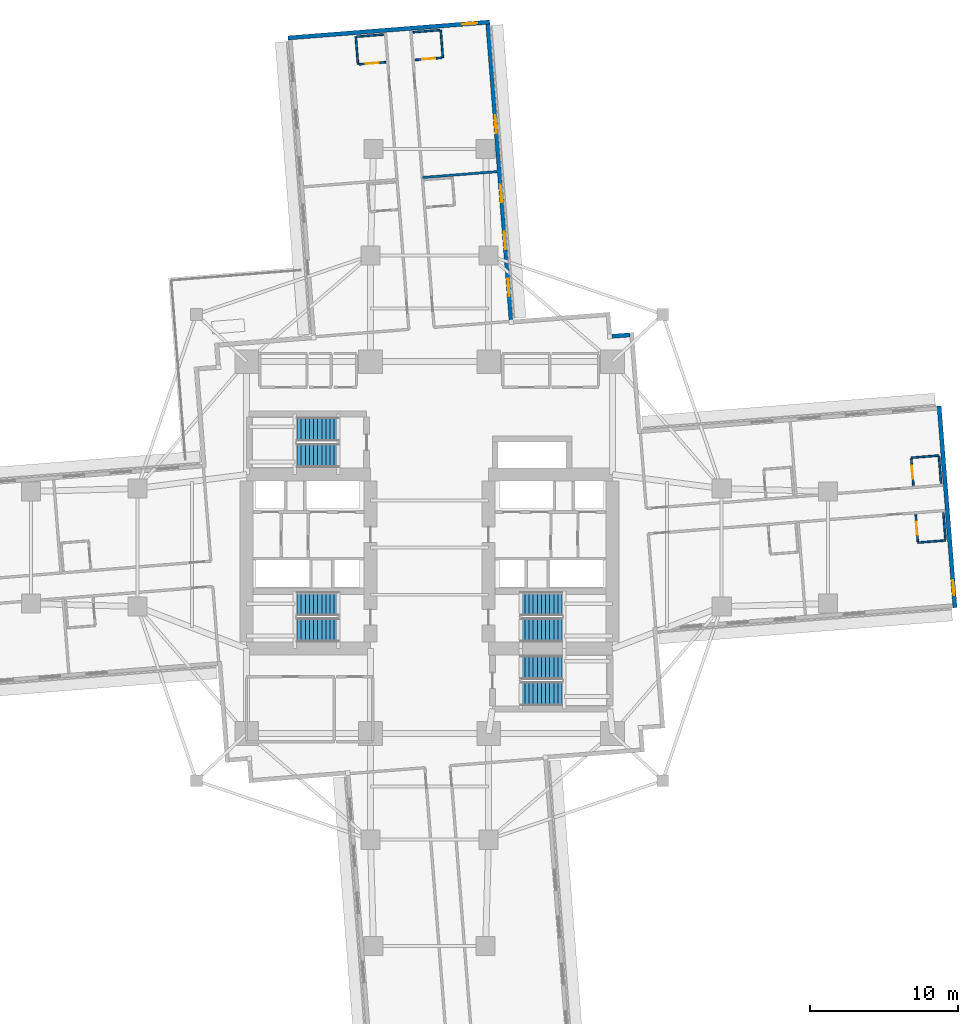
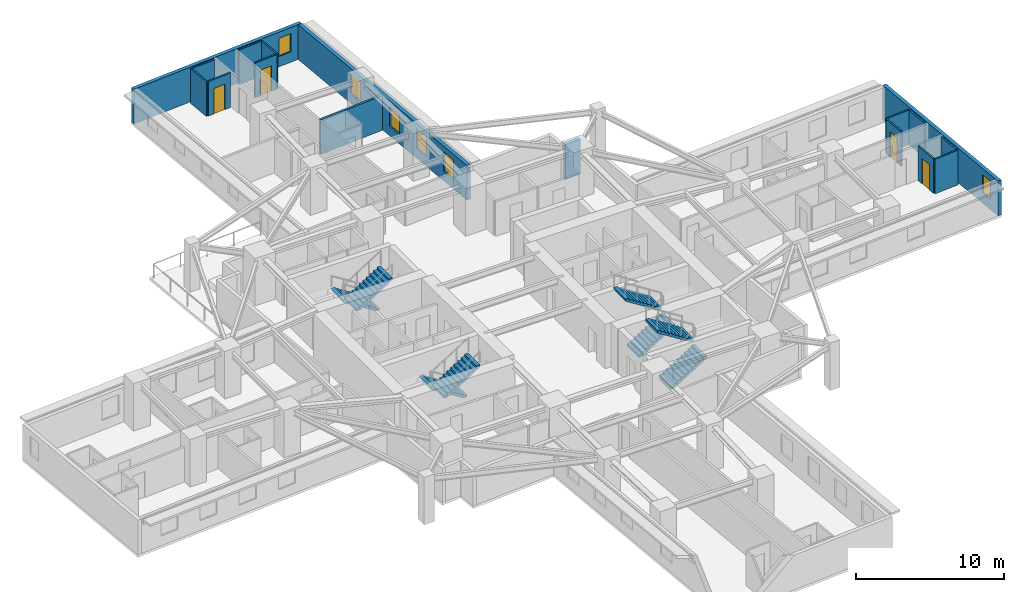
# One storey, part 8 of 13: 17 walls, 8 stair flights, 6 windows, 4 doors, 10 openings, 4 elements without a shape of their own.
"""IFC4 building model written with IfcOpenShell, lengths in metres."""

from ifc_helpers import new_model, si_unit, direction, frame, frame_2d, origin, place, context, subcontext, project, spatial, polyline, rectangle, outline, extrude, material, layer, layer_set, type_object, element, fill, aggregate, save


model = new_model("IFC4")

# Units and contexts
model_context = context("Model", 3, precision=1e-05, world=origin(), true_north=direction((0.0, 1.0)))
body_context = subcontext(model_context, "Body", "Model", "MODEL_VIEW")
ifc_project = project(units=[si_unit("LENGTHUNIT", "METRE"), si_unit("AREAUNIT", "SQUARE_METRE"), si_unit("VOLUMEUNIT", "CUBIC_METRE"), si_unit("PLANEANGLEUNIT", "RADIAN"), si_unit("MASSUNIT", "GRAM", prefix="KILO")], contexts=[model_context])

# Site, building, storey
site_placement = place(None, origin())
site = spatial("IfcSite", under=ifc_project, at=site_placement, CompositionType="ELEMENT")
building_placement = place(site_placement, origin())
building = spatial("IfcBuilding", under=site, at=building_placement, Name="Qingluan Cross Belvedere", CompositionType="ELEMENT")
storey_placement = place(building_placement, frame((0.0, 0.0, 43.199951171875)))
storey = spatial("IfcBuildingStorey", under=building, at=storey_placement, Name="L11", CompositionType="ELEMENT", Elevation=43.199951171875)

# Wall
ifc_material_1 = material(Name="Gypsum plasterboard on steel stud acoustic partition", Category="steel")
ifc_layer_1 = layer(ifc_material_1, 0.159912109375, Name="CorridorPartition_160")
ifc_layer_set_1 = layer_set([ifc_layer_1], Name="Gypsum plasterboard on steel stud acoustic partition")
wall_type_1 = type_object("IfcWallType", Name="CorridorPartition_160", PredefinedType="PARTITIONING", material=ifc_layer_set_1)
wall_1_placement = place(storey_placement, frame((-0.48876953125, 25.073974609375, 0.0), z_axis=(0.0, 0.0, 1.0), x_axis=(0.996918705771, 0.078441660381, 0.0)))
element("IfcWall", 1, at=wall_1_placement, inside=storey, type_object=wall_type_1, Name="Partition L11:N:d0_0", PredefinedType="PARTITIONING", context=body_context, shape_type="SweptSolid", body=[
    extrude(rectangle(XDim=5.091796875, YDim=0.159912109375, at=frame_2d((2.5458984375, 0.0))), origin(), (0.0, 0.0, 1.0), 2.85009765625),
])

# Wall, opening, door
ifc_material_2 = material(Name="Moisture-resistant gypsum board lining")
ifc_layer_2 = layer(ifc_material_2, 0.1201171875, Name="EnsuiteWetPartition_120")
ifc_layer_set_2 = layer_set([ifc_layer_2], Name="Moisture-resistant gypsum board lining")
wall_type_2 = type_object("IfcWallType", Name="EnsuiteWetPartition_120", PredefinedType="PARTITIONING", material=ifc_layer_set_2)
wall_2_placement = place(storey_placement, frame((32.791015625, 4.205810546875, 0.0), z_axis=(0.0, 0.0, 1.0), x_axis=(-0.078481444107, 0.996915574626, 0.0)))
wall_2 = element("IfcWall", 2, at=wall_2_placement, inside=storey, type_object=wall_type_2, Name="Partition L11:E:bs0_1", PredefinedType="PARTITIONING", context=body_context, shape_type="SweptSolid", body=[
    extrude(rectangle(XDim=1.81982421875, YDim=0.1201171875, at=frame_2d((0.909912109375, 0.0))), origin(), (0.0, 0.0, 1.0), 2.85009765625),
])
opening_1_placement = place(wall_2_placement, frame((0.469970703125, 0.0, 0.0)))
opening_1 = element("IfcOpeningElement", 3, at=opening_1_placement, cuts=wall_2, Name="Opening BD-09", PredefinedType="OPENING", context=body_context, shape_type="SweptSolid", body=[
    extrude(rectangle(XDim=0.8798828125, YDim=2.10009765625, at=frame_2d((0.43994140625, 1.050048828125))), frame((0.0, 0.070068359375, 0.0), z_axis=(0.0, -1.0, 0.0), x_axis=(1.0, 0.0, 0.0)), (0.0, 0.0, 1.0), 0.14013671875),
])
ifc_material_3 = material(Name="Moisture-sealed timber en-suite door", Category="wood")
door_type = type_object("IfcDoorType", Name="BathroomDoor_880", OperationType="NOTDEFINED", PredefinedType="DOOR", material=ifc_material_3)
door_1_placement = place(opening_1_placement, origin())
door_1 = element("IfcDoor", 4, at=door_1_placement, inside=storey, type_object=door_type, Name="Bathroom door 1102", OperationType="SINGLE_SWING_RIGHT", OverallHeight=2.10009765625, OverallWidth=0.8798828125, PredefinedType="DOOR", context=body_context, shape_type="SweptSolid", body=[
    extrude(rectangle(XDim=0.8798828125, YDim=2.10009765625, at=frame_2d((0.43994140625, 1.050048828125))), frame((0.0, 0.02490234375, 0.0), z_axis=(0.0, -1.0, 0.0), x_axis=(1.0, 0.0, 0.0)), (0.0, 0.0, 1.0), 0.050048828125),
])
fill(opening_1, door_1)

# Walls
wall_3_placement = place(storey_placement, frame((34.665283203125, 4.353271484375, 0.0), z_axis=(0.0, 0.0, 1.0), x_axis=(-0.078481444107, 0.996915574626, 0.0)))
element("IfcWall", 5, at=wall_3_placement, inside=storey, type_object=wall_type_2, Name="Partition L11:E:bw0_1", PredefinedType="PARTITIONING", context=body_context, shape_type="SweptSolid", body=[
    extrude(rectangle(XDim=1.81982421875, YDim=0.1201171875, at=frame_2d((0.909912109375, 0.0))), origin(), (0.0, 0.0, 1.0), 2.85009765625),
])
wall_4_placement = place(storey_placement, frame((32.643310546875, 6.0849609375, 0.0), z_axis=(0.0, 0.0, 1.0), x_axis=(0.99691849475, 0.078444342213, 0.0)))
element("IfcWall", 6, at=wall_4_placement, inside=storey, type_object=wall_type_2, Name="Partition L11:E:bn0_1", PredefinedType="PARTITIONING", context=body_context, shape_type="SweptSolid", body=[
    extrude(rectangle(XDim=1.8798828125, YDim=0.1201171875, at=frame_2d((0.93994140625, 0.0))), origin(), (0.0, 0.0, 1.0), 2.85009765625),
])

# Wall, opening, door
wall_5_placement = place(storey_placement, frame((33.0908203125, 0.3974609375, 0.0), z_axis=(0.0, 0.0, 1.0), x_axis=(-0.0784709492, 0.996916400774, 0.0)))
wall_5 = element("IfcWall", 7, at=wall_5_placement, inside=storey, type_object=wall_type_2, Name="Partition L11:E:bs1_1", PredefinedType="PARTITIONING", context=body_context, shape_type="SweptSolid", body=[
    extrude(rectangle(XDim=1.820068359375, YDim=0.1201171875, at=frame_2d((0.91015625, 0.0))), origin(), (0.0, 0.0, 1.0), 2.85009765625),
])
opening_2_placement = place(wall_5_placement, frame((0.469970703125, 0.0, 0.0)))
opening_2 = element("IfcOpeningElement", 8, at=opening_2_placement, cuts=wall_5, Name="Opening BD-09", PredefinedType="OPENING", context=body_context, shape_type="SweptSolid", body=[
    extrude(rectangle(XDim=0.8798828125, YDim=2.10009765625, at=frame_2d((0.43994140625, 1.050048828125))), frame((0.0, 0.070068359375, 0.0), z_axis=(0.0, -1.0, 0.0), x_axis=(1.0, 0.0, 0.0)), (0.0, 0.0, 1.0), 0.14013671875),
])
door_2_placement = place(opening_2_placement, origin())
door_2 = element("IfcDoor", 9, at=door_2_placement, inside=storey, type_object=door_type, Name="Bathroom door 1104", OperationType="SINGLE_SWING_RIGHT", OverallHeight=2.10009765625, OverallWidth=0.8798828125, PredefinedType="DOOR", context=body_context, shape_type="SweptSolid", body=[
    extrude(rectangle(XDim=0.8798828125, YDim=2.10009765625, at=frame_2d((0.43994140625, 1.050048828125))), frame((0.0, 0.02490234375, 0.0), z_axis=(0.0, -1.0, 0.0), x_axis=(1.0, 0.0, 0.0)), (0.0, 0.0, 1.0), 0.050048828125),
])
fill(opening_2, door_2)

# Walls
wall_6_placement = place(storey_placement, frame((34.965087890625, 0.544921875, 0.0), z_axis=(0.0, 0.0, 1.0), x_axis=(-0.0784709492, 0.996916400774, 0.0)))
element("IfcWall", 10, at=wall_6_placement, inside=storey, type_object=wall_type_2, Name="Partition L11:E:bw1_1", PredefinedType="PARTITIONING", context=body_context, shape_type="SweptSolid", body=[
    extrude(rectangle(XDim=1.820068359375, YDim=0.1201171875, at=frame_2d((0.91015625, 0.0))), origin(), (0.0, 0.0, 1.0), 2.85009765625),
])
wall_7_placement = place(storey_placement, frame((33.095947265625, 0.332763671875, 0.0), z_axis=(0.0, 0.0, 1.0), x_axis=(0.996919293781, 0.07843418698, 0.0)))
element("IfcWall", 11, at=wall_7_placement, inside=storey, type_object=wall_type_2, Name="Partition L11:E:bc1_1", PredefinedType="PARTITIONING", context=body_context, shape_type="SweptSolid", body=[
    extrude(rectangle(XDim=1.880126953125, YDim=0.1201171875, at=frame_2d((0.93994140625, 0.0))), origin(), (0.0, 0.0, 1.0), 2.85009765625),
])

# Wall, opening, door
wall_8_placement = place(storey_placement, frame((-0.9755859375, 33.04541015625, 0.0), z_axis=(0.0, 0.0, 1.0), x_axis=(0.996926062126, 0.078348112001, 0.0)))
wall_8 = element("IfcWall", 12, at=wall_8_placement, inside=storey, type_object=wall_type_2, Name="Partition L11:N:bs0_1", PredefinedType="PARTITIONING", context=body_context, shape_type="SweptSolid", body=[
    extrude(rectangle(XDim=1.81982421875, YDim=0.1201171875, at=frame_2d((0.909912109375, 0.0))), origin(), (0.0, 0.0, 1.0), 2.85009765625),
])
opening_3_placement = place(wall_8_placement, frame((0.469970703125, 0.0, 0.0)))
opening_3 = element("IfcOpeningElement", 13, at=opening_3_placement, cuts=wall_8, Name="Opening BD-09", PredefinedType="OPENING", context=body_context, shape_type="SweptSolid", body=[
    extrude(rectangle(XDim=0.8798828125, YDim=2.10009765625, at=frame_2d((0.43994140625, 1.050048828125))), frame((0.0, 0.070068359375, 0.0), z_axis=(0.0, -1.0, 0.0), x_axis=(1.0, 0.0, 0.0)), (0.0, 0.0, 1.0), 0.14013671875),
])
door_3_placement = place(opening_3_placement, origin())
door_3 = element("IfcDoor", 14, at=door_3_placement, inside=storey, type_object=door_type, Name="Bathroom door 1110", OperationType="SINGLE_SWING_RIGHT", OverallHeight=2.10009765625, OverallWidth=0.8798828125, PredefinedType="DOOR", context=body_context, shape_type="SweptSolid", body=[
    extrude(rectangle(XDim=0.8798828125, YDim=2.10009765625, at=frame_2d((0.43994140625, 1.050048828125))), frame((0.0, 0.02490234375, 0.0), z_axis=(0.0, -1.0, 0.0), x_axis=(1.0, 0.0, 0.0)), (0.0, 0.0, 1.0), 0.050048828125),
])
fill(opening_3, door_3)

# Walls
wall_9_placement = place(storey_placement, frame((-1.123291015625, 34.91943359375, 0.0), z_axis=(0.0, 0.0, 1.0), x_axis=(0.996916400774, 0.0784709492, 0.0)))
element("IfcWall", 15, at=wall_9_placement, inside=storey, type_object=wall_type_2, Name="Partition L11:N:bw0_1", PredefinedType="PARTITIONING", context=body_context, shape_type="SweptSolid", body=[
    extrude(rectangle(XDim=1.820068359375, YDim=0.1201171875, at=frame_2d((0.91015625, 0.0))), origin(), (0.0, 0.0, 1.0), 2.85009765625),
])
wall_10_placement = place(storey_placement, frame((0.903564453125, 33.193115234375, 0.0), z_axis=(0.0, 0.0, 1.0), x_axis=(-0.07843418698, 0.996919293781, 0.0)))
element("IfcWall", 16, at=wall_10_placement, inside=storey, type_object=wall_type_2, Name="Partition L11:N:bn0_1", PredefinedType="PARTITIONING", context=body_context, shape_type="SweptSolid", body=[
    extrude(rectangle(XDim=1.880126953125, YDim=0.1201171875, at=frame_2d((0.93994140625, 0.0))), origin(), (0.0, 0.0, 1.0), 2.85009765625),
])

# Wall, opening, door
wall_11_placement = place(storey_placement, frame((-4.783935546875, 32.74560546875, 0.0), z_axis=(0.0, 0.0, 1.0), x_axis=(0.996916400774, 0.0784709492, 0.0)))
wall_11 = element("IfcWall", 17, at=wall_11_placement, inside=storey, type_object=wall_type_2, Name="Partition L11:N:bs1_1", PredefinedType="PARTITIONING", context=body_context, shape_type="SweptSolid", body=[
    extrude(rectangle(XDim=1.820068359375, YDim=0.1201171875, at=frame_2d((0.91015625, 0.0))), origin(), (0.0, 0.0, 1.0), 2.85009765625),
])
opening_4_placement = place(wall_11_placement, frame((0.469970703125, 0.0, 0.0)))
opening_4 = element("IfcOpeningElement", 18, at=opening_4_placement, cuts=wall_11, Name="Opening BD-09", PredefinedType="OPENING", context=body_context, shape_type="SweptSolid", body=[
    extrude(rectangle(XDim=0.8798828125, YDim=2.10009765625, at=frame_2d((0.43994140625, 1.050048828125))), frame((0.0, 0.070068359375, 0.0), z_axis=(0.0, -1.0, 0.0), x_axis=(1.0, 0.0, 0.0)), (0.0, 0.0, 1.0), 0.14013671875),
])
door_4_placement = place(opening_4_placement, origin())
door_4 = element("IfcDoor", 19, at=door_4_placement, inside=storey, type_object=door_type, Name="Bathroom door 1112", OperationType="SINGLE_SWING_RIGHT", OverallHeight=2.10009765625, OverallWidth=0.8798828125, PredefinedType="DOOR", context=body_context, shape_type="SweptSolid", body=[
    extrude(rectangle(XDim=0.8798828125, YDim=2.10009765625, at=frame_2d((0.43994140625, 1.050048828125))), frame((0.0, 0.02490234375, 0.0), z_axis=(0.0, -1.0, 0.0), x_axis=(1.0, 0.0, 0.0)), (0.0, 0.0, 1.0), 0.050048828125),
])
fill(opening_4, door_4)

# Walls
wall_12_placement = place(storey_placement, frame((-4.931396484375, 34.619873046875, 0.0), z_axis=(0.0, 0.0, 1.0), x_axis=(0.996915574626, 0.078481444107, 0.0)))
element("IfcWall", 20, at=wall_12_placement, inside=storey, type_object=wall_type_2, Name="Partition L11:N:bw1_1", PredefinedType="PARTITIONING", context=body_context, shape_type="SweptSolid", body=[
    extrude(rectangle(XDim=1.81982421875, YDim=0.1201171875, at=frame_2d((0.909912109375, 0.0))), origin(), (0.0, 0.0, 1.0), 2.85009765625),
])
wall_13_placement = place(storey_placement, frame((-4.8486328125, 32.740478515625, 0.0), z_axis=(0.0, 0.0, 1.0), x_axis=(-0.07843418698, 0.996919293781, 0.0)))
element("IfcWall", 21, at=wall_13_placement, inside=storey, type_object=wall_type_2, Name="Partition L11:N:bc1_1", PredefinedType="PARTITIONING", context=body_context, shape_type="SweptSolid", body=[
    extrude(rectangle(XDim=1.880126953125, YDim=0.1201171875, at=frame_2d((0.93994140625, 0.0))), origin(), (0.0, 0.0, 1.0), 2.85009765625),
])

# Wall, opening, window
ifc_material_4 = material(Name="Precast concrete C45", Category="concrete")
ifc_layer_3 = layer(ifc_material_4, 0.280029296875, Name="PrecastFacadeWall_280")
ifc_layer_set_3 = layer_set([ifc_layer_3], Name="Precast concrete C45")
wall_type_3 = type_object("IfcWallType", Name="PrecastFacadeWall_280", PredefinedType="STANDARD", material=ifc_layer_set_3)
wall_14_placement = place(storey_placement, frame((35.60986328125, -4.07861328125, 0.0), z_axis=(0.0, 0.0, 1.0), x_axis=(-0.078473519122, 0.996916198482, 0.0)))
wall_14 = element("IfcWall", 22, at=wall_14_placement, inside=storey, type_object=wall_type_3, Name="Arm tip precast facade wall L11-E", PredefinedType="STANDARD", context=body_context, shape_type="SweptSolid", body=[
    extrude(rectangle(XDim=13.719970703125, YDim=0.280029296875, at=frame_2d((6.85986328125, 0.0))), origin(), (0.0, 0.0, 1.0), 2.860107421875),
])
opening_5_placement = place(wall_14_placement, frame((0.85009765625, 0.0, 0.85009765625)))
opening_5 = element("IfcOpeningElement", 23, at=opening_5_placement, cuts=wall_14, Name="Opening W-03", PredefinedType="OPENING", context=body_context, shape_type="SweptSolid", body=[
    extrude(rectangle(XDim=1.0, YDim=1.5, at=frame_2d((0.5, 0.75))), frame((0.0, 0.14990234375, 0.0), z_axis=(0.0, -1.0, 0.0), x_axis=(1.0, 0.0, 0.0)), (0.0, 0.0, 1.0), 0.300048828125),
])
ifc_material_5 = material(Name="Thermally broken triple Low-E glass in aluminium frame", Category="aluminium")
window_type_1 = type_object("IfcWindowType", Name="TriApexWin_1000x1500", PartitioningType="SINGLE_PANEL", PredefinedType="WINDOW", material=ifc_material_5)
window_1_placement = place(opening_5_placement, origin())
window_1 = element("IfcWindow", 24, at=window_1_placement, inside=storey, type_object=window_type_1, Name="Arm tip triangular window L11-E", OverallHeight=1.5, OverallWidth=1.0, PartitioningType="SINGLE_PANEL", PredefinedType="WINDOW", context=body_context, shape_type="SweptSolid", body=[
    extrude(rectangle(XDim=1.0, YDim=1.5, at=frame_2d((0.5, 0.75))), frame((0.0, 0.030029296875, 0.0), z_axis=(0.0, -1.0, 0.0), x_axis=(1.0, 0.0, 0.0)), (0.0, 0.0, 1.0), 0.06005859375),
])
fill(opening_5, window_1)

# Wall, openings, windows
wall_15_placement = place(storey_placement, frame((5.527099609375, 15.421142578125, 0.0), z_axis=(0.0, 0.0, 1.0), x_axis=(-0.078452802979, 0.996917828963, 0.0)))
wall_15 = element("IfcWall", 25, at=wall_15_placement, inside=storey, type_object=wall_type_3, Name="Facade wall L11-NA", PredefinedType="STANDARD", context=body_context, shape_type="SweptSolid", body=[
    extrude(rectangle(XDim=20.10009765625, YDim=0.280029296875, at=frame_2d((10.050048828125, 0.0))), origin(), (0.0, 0.0, 1.0), 2.860107421875),
])
opening_6_placement = place(wall_15_placement, frame((1.60009765625, 0.0, 0.800048828125)))
opening_6 = element("IfcOpeningElement", 26, at=opening_6_placement, cuts=wall_15, Name="Opening W-02", PredefinedType="OPENING", context=body_context, shape_type="SweptSolid", body=[
    extrude(rectangle(XDim=1.199951171875, YDim=1.60009765625, at=frame_2d((0.60009765625, 0.800048828125))), frame((0.0, 0.14990234375, 0.0), z_axis=(0.0, -1.0, 0.0), x_axis=(1.0, 0.0, 0.0)), (0.0, 0.0, 1.0), 0.300048828125),
])
opening_7_placement = place(wall_15_placement, frame((4.800048828125, 0.0, 0.800048828125)))
opening_7 = element("IfcOpeningElement", 27, at=opening_7_placement, cuts=wall_15, Name="Opening W-02", PredefinedType="OPENING", context=body_context, shape_type="SweptSolid", body=[
    extrude(rectangle(XDim=1.199951171875, YDim=1.60009765625, at=frame_2d((0.60009765625, 0.800048828125))), frame((0.0, 0.14990234375, 0.0), z_axis=(0.0, -1.0, 0.0), x_axis=(1.0, 0.0, 0.0)), (0.0, 0.0, 1.0), 0.300048828125),
])
opening_8_placement = place(wall_15_placement, frame((8.0, 0.0, 0.800048828125)))
opening_8 = element("IfcOpeningElement", 28, at=opening_8_placement, cuts=wall_15, Name="Opening W-02", PredefinedType="OPENING", context=body_context, shape_type="SweptSolid", body=[
    extrude(rectangle(XDim=1.199951171875, YDim=1.60009765625, at=frame_2d((0.60009765625, 0.800048828125))), frame((0.0, 0.14990234375, 0.0), z_axis=(0.0, -1.0, 0.0), x_axis=(1.0, 0.0, 0.0)), (0.0, 0.0, 1.0), 0.300048828125),
])
opening_9_placement = place(wall_15_placement, frame((12.699951171875, 0.0, 0.800048828125)))
opening_9 = element("IfcOpeningElement", 29, at=opening_9_placement, cuts=wall_15, Name="Opening W-02", PredefinedType="OPENING", context=body_context, shape_type="SweptSolid", body=[
    extrude(rectangle(XDim=1.199951171875, YDim=1.60009765625, at=frame_2d((0.60009765625, 0.800048828125))), frame((0.0, 0.14990234375, 0.0), z_axis=(0.0, -1.0, 0.0), x_axis=(1.0, 0.0, 0.0)), (0.0, 0.0, 1.0), 0.300048828125),
])
ifc_material_6 = material(Name="Thermally broken triple Low-E glass in aluminium frame", Category="aluminium")
window_type_2 = type_object("IfcWindowType", Name="TriRibbonWin_1200x1600", PartitioningType="SINGLE_PANEL", PredefinedType="WINDOW", material=ifc_material_6)
window_2_placement = place(opening_6_placement, origin())
window_2 = element("IfcWindow", 30, at=window_2_placement, inside=storey, type_object=window_type_2, Name="Ribbon window L11-NA-1", OverallHeight=1.60009765625, OverallWidth=1.199951171875, PartitioningType="SINGLE_PANEL", PredefinedType="WINDOW", context=body_context, shape_type="SweptSolid", body=[
    extrude(rectangle(XDim=1.199951171875, YDim=1.60009765625, at=frame_2d((0.60009765625, 0.800048828125))), frame((0.0, 0.030029296875, 0.0), z_axis=(0.0, -1.0, 0.0), x_axis=(1.0, 0.0, 0.0)), (0.0, 0.0, 1.0), 0.06005859375),
])
fill(opening_6, window_2)
window_3_placement = place(opening_7_placement, origin())
window_3 = element("IfcWindow", 31, at=window_3_placement, inside=storey, type_object=window_type_2, Name="Ribbon window L11-NA-2", OverallHeight=1.60009765625, OverallWidth=1.199951171875, PartitioningType="SINGLE_PANEL", PredefinedType="WINDOW", context=body_context, shape_type="SweptSolid", body=[
    extrude(rectangle(XDim=1.199951171875, YDim=1.60009765625, at=frame_2d((0.60009765625, 0.800048828125))), frame((0.0, 0.030029296875, 0.0), z_axis=(0.0, -1.0, 0.0), x_axis=(1.0, 0.0, 0.0)), (0.0, 0.0, 1.0), 0.06005859375),
])
fill(opening_7, window_3)
window_4_placement = place(opening_8_placement, origin())
window_4 = element("IfcWindow", 32, at=window_4_placement, inside=storey, type_object=window_type_2, Name="Ribbon window L11-NA-3", OverallHeight=1.60009765625, OverallWidth=1.199951171875, PartitioningType="SINGLE_PANEL", PredefinedType="WINDOW", context=body_context, shape_type="SweptSolid", body=[
    extrude(rectangle(XDim=1.199951171875, YDim=1.60009765625, at=frame_2d((0.60009765625, 0.800048828125))), frame((0.0, 0.030029296875, 0.0), z_axis=(0.0, -1.0, 0.0), x_axis=(1.0, 0.0, 0.0)), (0.0, 0.0, 1.0), 0.06005859375),
])
fill(opening_8, window_4)
window_5_placement = place(opening_9_placement, origin())
window_5 = element("IfcWindow", 33, at=window_5_placement, inside=storey, type_object=window_type_2, Name="Ribbon window L11-NA-4", OverallHeight=1.60009765625, OverallWidth=1.199951171875, PartitioningType="SINGLE_PANEL", PredefinedType="WINDOW", context=body_context, shape_type="SweptSolid", body=[
    extrude(rectangle(XDim=1.199951171875, YDim=1.60009765625, at=frame_2d((0.60009765625, 0.800048828125))), frame((0.0, 0.030029296875, 0.0), z_axis=(0.0, -1.0, 0.0), x_axis=(1.0, 0.0, 0.0)), (0.0, 0.0, 1.0), 0.06005859375),
])
fill(opening_9, window_5)

# Wall, opening, window
wall_16_placement = place(storey_placement, frame((4.07861328125, 35.60986328125, 0.0), z_axis=(0.0, 0.0, 1.0), x_axis=(-0.996916198482, -0.078473519122, 0.0)))
wall_16 = element("IfcWall", 34, at=wall_16_placement, inside=storey, type_object=wall_type_3, Name="Arm tip precast facade wall L11-N", PredefinedType="STANDARD", context=body_context, shape_type="SweptSolid", body=[
    extrude(rectangle(XDim=13.719970703125, YDim=0.280029296875, at=frame_2d((6.85986328125, 0.0))), origin(), (0.0, 0.0, 1.0), 2.860107421875),
])
opening_10_placement = place(wall_16_placement, frame((0.85009765625, 0.0, 0.85009765625)))
opening_10 = element("IfcOpeningElement", 35, at=opening_10_placement, cuts=wall_16, Name="Opening W-03", PredefinedType="OPENING", context=body_context, shape_type="SweptSolid", body=[
    extrude(rectangle(XDim=1.0, YDim=1.5, at=frame_2d((0.5, 0.75))), frame((0.0, 0.14990234375, 0.0), z_axis=(0.0, -1.0, 0.0), x_axis=(1.0, 0.0, 0.0)), (0.0, 0.0, 1.0), 0.300048828125),
])
window_6_placement = place(opening_10_placement, origin())
window_6 = element("IfcWindow", 36, at=window_6_placement, inside=storey, type_object=window_type_1, Name="Arm tip triangular window L11-N", OverallHeight=1.5, OverallWidth=1.0, PartitioningType="SINGLE_PANEL", PredefinedType="WINDOW", context=body_context, shape_type="SweptSolid", body=[
    extrude(rectangle(XDim=1.0, YDim=1.5, at=frame_2d((0.5, 0.75))), frame((0.0, 0.030029296875, 0.0), z_axis=(0.0, -1.0, 0.0), x_axis=(1.0, 0.0, 0.0)), (0.0, 0.0, 1.0), 0.06005859375),
])
fill(opening_10, window_6)

# Wall
wall_17_placement = place(storey_placement, frame((13.5712890625, 14.4091796875, 0.0), z_axis=(0.0, 0.0, 1.0), x_axis=(-0.996918772, -0.078440818672, 0.0)))
element("IfcWall", 37, at=wall_17_placement, inside=storey, type_object=wall_type_3, Name="Corner wall L11-NE2", PredefinedType="STANDARD", context=body_context, shape_type="SweptSolid", body=[
    extrude(rectangle(XDim=1.219970703125, YDim=0.280029296875, at=frame_2d((0.60986328125, 0.0))), origin(), (0.0, 0.0, 1.0), 2.860107421875),
])

# Stair, stair flights
ifc_material_7 = material(Name="Concrete C40", Category="concrete")
stair_type = type_object("IfcStairType", Name="CoreDoglegStair_1620", PredefinedType="HALF_TURN_STAIR", material=ifc_material_7)
stair_1_placement = place(storey_placement, origin())
stair_1 = element("IfcStair", 38, at=stair_1_placement, inside=storey, type_object=stair_type, Name="L11 ST1", PredefinedType="HALF_TURN_STAIR")
ifc_material_8 = material(Name="Concrete C40", Category="concrete")
ifc_layer_4 = layer(ifc_material_8, 0.179931640625, Name="StairFlight_RC180")
ifc_layer_set_4 = layer_set([ifc_layer_4], Name="Concrete C40")
stair_flight_type = type_object("IfcStairFlightType", Name="StairFlight_RC180", PredefinedType="STRAIGHT", material=ifc_layer_set_4)
stair_flight_1_placement = place(storey_placement, frame((-6.179931640625, -3.81005859375, 0.0), z_axis=(0.0, 0.0, 1.0), x_axis=(-1.0, 0.0, 0.0)))
stair_flight_1 = element("IfcStairFlight", 39, at=stair_flight_1_placement, type_object=stair_flight_type, Name="ST1 flight 1", NumberOfRisers=11, NumberOfTreads=10, PredefinedType="STRAIGHT", RiserHeight=0.177272727, TreadLength=0.28, context=body_context, shape_type="SweptSolid", body=[
    extrude(outline(polyline([(0.0, 0.0), (0.0, 0.17724609375), (0.280029296875, 0.17724609375), (0.280029296875, 0.3544921875), (0.56005859375, 0.3544921875), (0.56005859375, 0.53173828125), (0.840087890625, 0.53173828125), (0.840087890625, 0.708984375), (1.1201171875, 0.708984375), (1.1201171875, 0.886474609375), (1.39990234375, 0.886474609375), (1.39990234375, 1.063720703125), (1.679931640625, 1.063720703125), (1.679931640625, 1.240966796875), (1.9599609375, 1.240966796875), (1.9599609375, 1.418212890625), (2.239990234375, 1.418212890625), (2.239990234375, 1.595458984375), (2.52001953125, 1.595458984375), (2.52001953125, 1.772705078125), (2.800048828125, 1.772705078125), (2.800048828125, 1.949951171875), (2.800048828125, 1.59521484375), (0.2802734375, 0.0), (0.0, 0.0)])), frame((0.0, 0.81005859375, 0.0), z_axis=(0.0, -1.0, 0.0), x_axis=(1.0, 0.0, 0.0)), (0.0, 0.0, 1.0), 1.6201171875),
])
stair_flight_2_placement = place(storey_placement, frame((-8.97998046875, -5.590087890625, 1.949951171875), z_axis=(0.0, 0.0, 1.0), x_axis=(1.0, 0.0, 0.0)))
stair_flight_2 = element("IfcStairFlight", 40, at=stair_flight_2_placement, type_object=stair_flight_type, Name="ST1 flight 2", NumberOfRisers=11, NumberOfTreads=10, PredefinedType="STRAIGHT", RiserHeight=0.177272727, TreadLength=0.28, context=body_context, shape_type="SweptSolid", body=[
    extrude(outline(polyline([(0.0, 0.0), (0.0, 0.17724609375), (0.280029296875, 0.17724609375), (0.280029296875, 0.3544921875), (0.56005859375, 0.3544921875), (0.56005859375, 0.53173828125), (0.840087890625, 0.53173828125), (0.840087890625, 0.708984375), (1.1201171875, 0.708984375), (1.1201171875, 0.886474609375), (1.39990234375, 0.886474609375), (1.39990234375, 1.063720703125), (1.679931640625, 1.063720703125), (1.679931640625, 1.240966796875), (1.9599609375, 1.240966796875), (1.9599609375, 1.418212890625), (2.239990234375, 1.418212890625), (2.239990234375, 1.595458984375), (2.52001953125, 1.595458984375), (2.52001953125, 1.772705078125), (2.800048828125, 1.772705078125), (2.800048828125, 1.949951171875), (2.800048828125, 1.59521484375), (0.2802734375, 0.0), (0.0, 0.0)])), frame((0.0, 0.81005859375, 0.0), z_axis=(0.0, -1.0, 0.0), x_axis=(1.0, 0.0, 0.0)), (0.0, 0.0, 1.0), 1.6201171875),
])
aggregate(stair_1, [stair_flight_1, stair_flight_2])

stair_2_placement = place(storey_placement, origin())
stair_2 = element("IfcStair", 41, at=stair_2_placement, inside=storey, type_object=stair_type, Name="L11 ST2", PredefinedType="HALF_TURN_STAIR")
stair_flight_3_placement = place(storey_placement, frame((6.179931640625, -5.590087890625, 0.0), z_axis=(0.0, 0.0, 1.0), x_axis=(1.0, 0.0, 0.0)))
stair_flight_3 = element("IfcStairFlight", 42, at=stair_flight_3_placement, type_object=stair_flight_type, Name="ST2 flight 1", NumberOfRisers=11, NumberOfTreads=10, PredefinedType="STRAIGHT", RiserHeight=0.177272727, TreadLength=0.28, context=body_context, shape_type="SweptSolid", body=[
    extrude(outline(polyline([(0.0, 0.0), (0.0, 0.17724609375), (0.280029296875, 0.17724609375), (0.280029296875, 0.3544921875), (0.56005859375, 0.3544921875), (0.56005859375, 0.53173828125), (0.840087890625, 0.53173828125), (0.840087890625, 0.708984375), (1.1201171875, 0.708984375), (1.1201171875, 0.886474609375), (1.39990234375, 0.886474609375), (1.39990234375, 1.063720703125), (1.679931640625, 1.063720703125), (1.679931640625, 1.240966796875), (1.9599609375, 1.240966796875), (1.9599609375, 1.418212890625), (2.239990234375, 1.418212890625), (2.239990234375, 1.595458984375), (2.52001953125, 1.595458984375), (2.52001953125, 1.772705078125), (2.800048828125, 1.772705078125), (2.800048828125, 1.949951171875), (2.800048828125, 1.59521484375), (0.2802734375, 0.0), (0.0, 0.0)])), frame((0.0, 0.81005859375, 0.0), z_axis=(0.0, -1.0, 0.0), x_axis=(1.0, 0.0, 0.0)), (0.0, 0.0, 1.0), 1.6201171875),
])
stair_flight_4_placement = place(storey_placement, frame((8.97998046875, -3.81005859375, 1.949951171875), z_axis=(0.0, 0.0, 1.0), x_axis=(-1.0, 0.0, 0.0)))
stair_flight_4 = element("IfcStairFlight", 43, at=stair_flight_4_placement, type_object=stair_flight_type, Name="ST2 flight 2", NumberOfRisers=11, NumberOfTreads=10, PredefinedType="STRAIGHT", RiserHeight=0.177272727, TreadLength=0.28, context=body_context, shape_type="SweptSolid", body=[
    extrude(outline(polyline([(0.0, 0.0), (0.0, 0.17724609375), (0.280029296875, 0.17724609375), (0.280029296875, 0.3544921875), (0.56005859375, 0.3544921875), (0.56005859375, 0.53173828125), (0.840087890625, 0.53173828125), (0.840087890625, 0.708984375), (1.1201171875, 0.708984375), (1.1201171875, 0.886474609375), (1.39990234375, 0.886474609375), (1.39990234375, 1.063720703125), (1.679931640625, 1.063720703125), (1.679931640625, 1.240966796875), (1.9599609375, 1.240966796875), (1.9599609375, 1.418212890625), (2.239990234375, 1.418212890625), (2.239990234375, 1.595458984375), (2.52001953125, 1.595458984375), (2.52001953125, 1.772705078125), (2.800048828125, 1.772705078125), (2.800048828125, 1.949951171875), (2.800048828125, 1.59521484375), (0.2802734375, 0.0), (0.0, 0.0)])), frame((0.0, 0.81005859375, 0.0), z_axis=(0.0, -1.0, 0.0), x_axis=(1.0, 0.0, 0.0)), (0.0, 0.0, 1.0), 1.6201171875),
])
aggregate(stair_2, [stair_flight_3, stair_flight_4])

stair_3_placement = place(storey_placement, origin())
stair_3 = element("IfcStair", 44, at=stair_3_placement, inside=storey, type_object=stair_type, Name="L11 ST3", PredefinedType="HALF_TURN_STAIR")
stair_flight_5_placement = place(storey_placement, frame((-6.179931640625, 8.010009765625, 0.0), z_axis=(0.0, 0.0, 1.0), x_axis=(-1.0, 0.0, 0.0)))
stair_flight_5 = element("IfcStairFlight", 45, at=stair_flight_5_placement, type_object=stair_flight_type, Name="ST3 flight 1", NumberOfRisers=11, NumberOfTreads=10, PredefinedType="STRAIGHT", RiserHeight=0.177272727, TreadLength=0.28, context=body_context, shape_type="SweptSolid", body=[
    extrude(outline(polyline([(0.0, 0.0), (0.0, 0.17724609375), (0.280029296875, 0.17724609375), (0.280029296875, 0.3544921875), (0.56005859375, 0.3544921875), (0.56005859375, 0.53173828125), (0.840087890625, 0.53173828125), (0.840087890625, 0.708984375), (1.1201171875, 0.708984375), (1.1201171875, 0.886474609375), (1.39990234375, 0.886474609375), (1.39990234375, 1.063720703125), (1.679931640625, 1.063720703125), (1.679931640625, 1.240966796875), (1.9599609375, 1.240966796875), (1.9599609375, 1.418212890625), (2.239990234375, 1.418212890625), (2.239990234375, 1.595458984375), (2.52001953125, 1.595458984375), (2.52001953125, 1.772705078125), (2.800048828125, 1.772705078125), (2.800048828125, 1.949951171875), (2.800048828125, 1.59521484375), (0.2802734375, 0.0), (0.0, 0.0)])), frame((0.0, 0.81005859375, 0.0), z_axis=(0.0, -1.0, 0.0), x_axis=(1.0, 0.0, 0.0)), (0.0, 0.0, 1.0), 1.6201171875),
])
stair_flight_6_placement = place(storey_placement, frame((-8.97998046875, 6.22998046875, 1.949951171875), z_axis=(0.0, 0.0, 1.0), x_axis=(1.0, 0.0, 0.0)))
stair_flight_6 = element("IfcStairFlight", 46, at=stair_flight_6_placement, type_object=stair_flight_type, Name="ST3 flight 2", NumberOfRisers=11, NumberOfTreads=10, PredefinedType="STRAIGHT", RiserHeight=0.177272727, TreadLength=0.28, context=body_context, shape_type="SweptSolid", body=[
    extrude(outline(polyline([(0.0, 0.0), (0.0, 0.17724609375), (0.280029296875, 0.17724609375), (0.280029296875, 0.3544921875), (0.56005859375, 0.3544921875), (0.56005859375, 0.53173828125), (0.840087890625, 0.53173828125), (0.840087890625, 0.708984375), (1.1201171875, 0.708984375), (1.1201171875, 0.886474609375), (1.39990234375, 0.886474609375), (1.39990234375, 1.063720703125), (1.679931640625, 1.063720703125), (1.679931640625, 1.240966796875), (1.9599609375, 1.240966796875), (1.9599609375, 1.418212890625), (2.239990234375, 1.418212890625), (2.239990234375, 1.595458984375), (2.52001953125, 1.595458984375), (2.52001953125, 1.772705078125), (2.800048828125, 1.772705078125), (2.800048828125, 1.949951171875), (2.800048828125, 1.59521484375), (0.2802734375, 0.0), (0.0, 0.0)])), frame((0.0, 0.81005859375, 0.0), z_axis=(0.0, -1.0, 0.0), x_axis=(1.0, 0.0, 0.0)), (0.0, 0.0, 1.0), 1.6201171875),
])
aggregate(stair_3, [stair_flight_5, stair_flight_6])

stair_4_placement = place(storey_placement, origin())
stair_4 = element("IfcStair", 47, at=stair_4_placement, inside=storey, type_object=stair_type, Name="L11 ST4", PredefinedType="HALF_TURN_STAIR")
stair_flight_7_placement = place(storey_placement, frame((6.179931640625, -9.909912109375, 0.0), z_axis=(0.0, 0.0, 1.0), x_axis=(1.0, 0.0, 0.0)))
stair_flight_7 = element("IfcStairFlight", 48, at=stair_flight_7_placement, type_object=stair_flight_type, Name="ST4 flight 1", NumberOfRisers=11, NumberOfTreads=10, PredefinedType="STRAIGHT", RiserHeight=0.177272727, TreadLength=0.28, context=body_context, shape_type="SweptSolid", body=[
    extrude(outline(polyline([(0.0, 0.0), (0.0, 0.17724609375), (0.280029296875, 0.17724609375), (0.280029296875, 0.3544921875), (0.56005859375, 0.3544921875), (0.56005859375, 0.53173828125), (0.840087890625, 0.53173828125), (0.840087890625, 0.708984375), (1.1201171875, 0.708984375), (1.1201171875, 0.886474609375), (1.39990234375, 0.886474609375), (1.39990234375, 1.063720703125), (1.679931640625, 1.063720703125), (1.679931640625, 1.240966796875), (1.9599609375, 1.240966796875), (1.9599609375, 1.418212890625), (2.239990234375, 1.418212890625), (2.239990234375, 1.595458984375), (2.52001953125, 1.595458984375), (2.52001953125, 1.772705078125), (2.800048828125, 1.772705078125), (2.800048828125, 1.949951171875), (2.800048828125, 1.59521484375), (0.2802734375, 0.0), (0.0, 0.0)])), frame((0.0, 0.81005859375, 0.0), z_axis=(0.0, -1.0, 0.0), x_axis=(1.0, 0.0, 0.0)), (0.0, 0.0, 1.0), 1.6201171875),
])
stair_flight_8_placement = place(storey_placement, frame((8.97998046875, -8.1298828125, 1.949951171875), z_axis=(0.0, 0.0, 1.0), x_axis=(-1.0, 0.0, 0.0)))
stair_flight_8 = element("IfcStairFlight", 49, at=stair_flight_8_placement, type_object=stair_flight_type, Name="ST4 flight 2", NumberOfRisers=11, NumberOfTreads=10, PredefinedType="STRAIGHT", RiserHeight=0.177272727, TreadLength=0.28, context=body_context, shape_type="SweptSolid", body=[
    extrude(outline(polyline([(0.0, 0.0), (0.0, 0.17724609375), (0.280029296875, 0.17724609375), (0.280029296875, 0.3544921875), (0.56005859375, 0.3544921875), (0.56005859375, 0.53173828125), (0.840087890625, 0.53173828125), (0.840087890625, 0.708984375), (1.1201171875, 0.708984375), (1.1201171875, 0.886474609375), (1.39990234375, 0.886474609375), (1.39990234375, 1.063720703125), (1.679931640625, 1.063720703125), (1.679931640625, 1.240966796875), (1.9599609375, 1.240966796875), (1.9599609375, 1.418212890625), (2.239990234375, 1.418212890625), (2.239990234375, 1.595458984375), (2.52001953125, 1.595458984375), (2.52001953125, 1.772705078125), (2.800048828125, 1.772705078125), (2.800048828125, 1.949951171875), (2.800048828125, 1.59521484375), (0.2802734375, 0.0), (0.0, 0.0)])), frame((0.0, 0.81005859375, 0.0), z_axis=(0.0, -1.0, 0.0), x_axis=(1.0, 0.0, 0.0)), (0.0, 0.0, 1.0), 1.6201171875),
])
aggregate(stair_4, [stair_flight_7, stair_flight_8])

save(model, "model.ifc")
